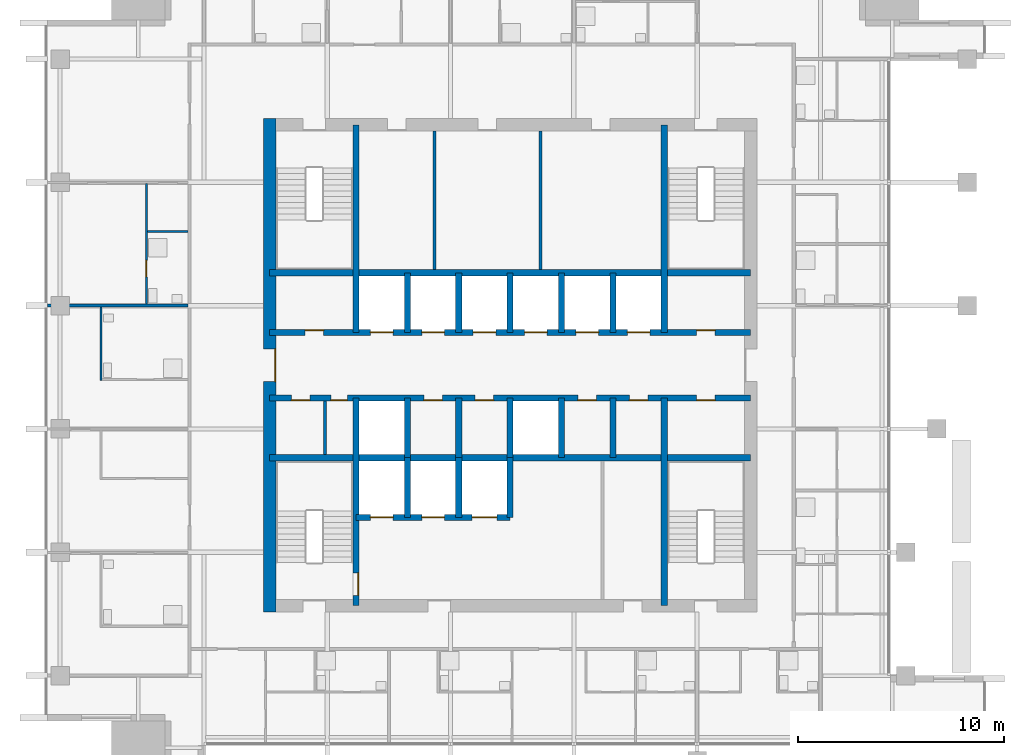
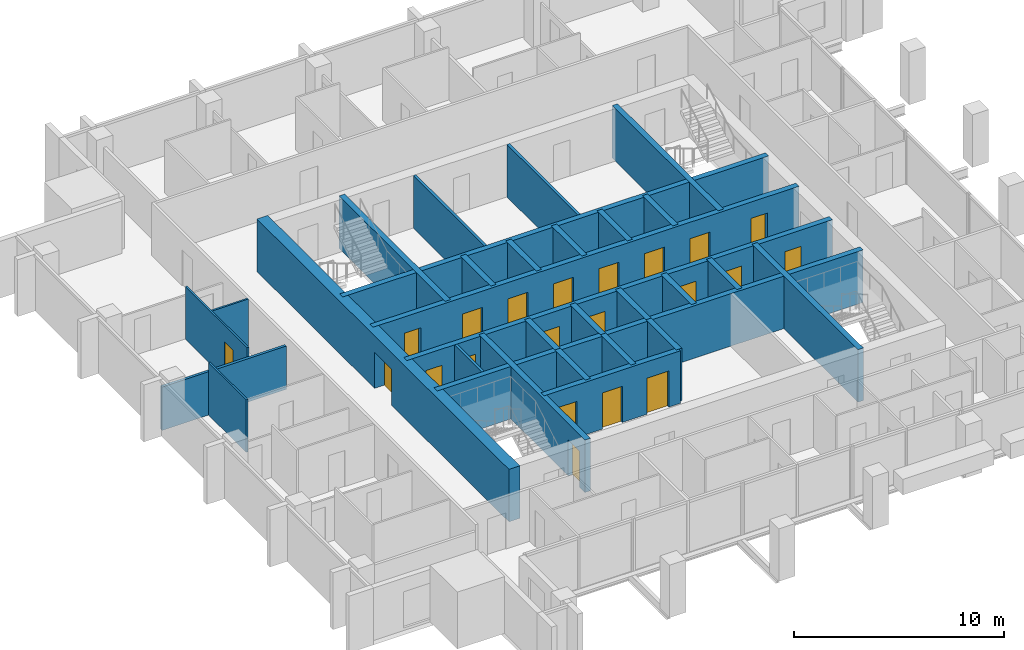
# One storey, part 9 of 14: 30 walls, 21 doors, 21 openings.
"""IFC4 building model written with IfcOpenShell, lengths in metres."""

from ifc_helpers import new_model, si_unit, direction, frame, frame_2d, origin, place, context, subcontext, project, spatial, rectangle, extrude, material, layer, layer_set, type_object, element, fill, save


model = new_model("IFC4")

# Units and contexts
model_context = context("Model", 3, precision=1e-05, world=origin(), true_north=direction((0.0, 1.0)))
body_context = subcontext(model_context, "Body", "Model", "MODEL_VIEW")
ifc_project = project(units=[si_unit("LENGTHUNIT", "METRE"), si_unit("AREAUNIT", "SQUARE_METRE"), si_unit("VOLUMEUNIT", "CUBIC_METRE"), si_unit("PLANEANGLEUNIT", "RADIAN"), si_unit("MASSUNIT", "GRAM", prefix="KILO")], contexts=[model_context])

# Site, building, storey
site_placement = place(None, origin())
site = spatial("IfcSite", under=ifc_project, at=site_placement, CompositionType="ELEMENT")
building_placement = place(site_placement, origin())
building = spatial("IfcBuilding", under=site, at=building_placement, Name="Amberfall Residences", CompositionType="ELEMENT")
storey_placement = place(building_placement, frame((0.0, 0.0, 220.0)))
storey = spatial("IfcBuildingStorey", under=building, at=storey_placement, Name="L59", CompositionType="ELEMENT", Elevation=220.0)

# Wall
ifc_material_1 = material(Name="Concrete C55", Category="concrete")
ifc_layer_1 = layer(ifc_material_1, 0.300048828125)
ifc_layer_set_1 = layer_set([ifc_layer_1], Name="Core wall 300 C55")
wall_type_1 = type_object("IfcWallType", Name="Core wall 300 C55", PredefinedType="SHEAR", material=ifc_layer_set_1)
wall_1_placement = place(storey_placement, frame((62.800048828125, 41.0, 0.0), z_axis=(0.0, 0.0, 1.0), x_axis=(1.0, 0.0, 0.0)))
element("IfcWall", 1, at=wall_1_placement, inside=storey, type_object=wall_type_1, Name="Core wall RW8 L59 H75", PredefinedType="SHEAR", context=body_context, shape_type="SweptSolid", body=[
    extrude(rectangle(XDim=23.39990234375, YDim=0.300048828125, at=frame_2d((11.699951171875, 0.0))), origin(), (0.0, 0.0, 1.0), 3.050048828125),
])

# Wall, openings, doors
wall_2_placement = place(storey_placement, frame((62.800048828125, 43.89990234375, 0.0), z_axis=(0.0, 0.0, 1.0), x_axis=(1.0, 0.0, 0.0)))
wall_2 = element("IfcWall", 2, at=wall_2_placement, inside=storey, type_object=wall_type_1, Name="Core wall RW8 L59 H104", PredefinedType="SHEAR", context=body_context, shape_type="SweptSolid", body=[
    extrude(rectangle(XDim=23.39990234375, YDim=0.300048828125, at=frame_2d((11.699951171875, 0.0))), origin(), (0.0, 0.0, 1.0), 3.050048828125),
])
opening_1_placement = place(wall_2_placement, frame((1.050048828125, 0.0, 0.0)))
opening_1 = element("IfcOpeningElement", 3, at=opening_1_placement, cuts=wall_2, Name="Opening RD1", PredefinedType="OPENING", context=body_context, shape_type="SweptSolid", body=[
    extrude(rectangle(XDim=0.89990234375, YDim=2.10009765625, at=frame_2d((0.449951171875, 1.050048828125))), frame((0.0, 0.159912109375, 0.0), z_axis=(0.0, -1.0, 0.0), x_axis=(1.0, 0.0, 0.0)), (0.0, 0.0, 1.0), 0.320068359375),
])
opening_2_placement = place(wall_2_placement, frame((2.97509765625, 0.0, 0.0)))
opening_2 = element("IfcOpeningElement", 4, at=opening_2_placement, cuts=wall_2, Name="Opening RD2", PredefinedType="OPENING", context=body_context, shape_type="SweptSolid", body=[
    extrude(rectangle(XDim=0.800048828125, YDim=2.10009765625, at=frame_2d((0.39990234375, 1.050048828125))), frame((0.0, 0.159912109375, 0.0), z_axis=(0.0, -1.0, 0.0), x_axis=(1.0, 0.0, 0.0)), (0.0, 0.0, 1.0), 0.320068359375),
])
opening_3_placement = place(wall_2_placement, frame((20.77490234375, 0.0, 0.0)))
opening_3 = element("IfcOpeningElement", 5, at=opening_3_placement, cuts=wall_2, Name="Opening RD1", PredefinedType="OPENING", context=body_context, shape_type="SweptSolid", body=[
    extrude(rectangle(XDim=0.89990234375, YDim=2.10009765625, at=frame_2d((0.449951171875, 1.050048828125))), frame((0.0, 0.159912109375, 0.0), z_axis=(0.0, -1.0, 0.0), x_axis=(1.0, 0.0, 0.0)), (0.0, 0.0, 1.0), 0.320068359375),
])
opening_4_placement = place(wall_2_placement, frame((7.5, 0.0, 0.0)))
opening_4 = element("IfcOpeningElement", 6, at=opening_4_placement, cuts=wall_2, Name="Opening RD1", PredefinedType="OPENING", context=body_context, shape_type="SweptSolid", body=[
    extrude(rectangle(XDim=0.89990234375, YDim=2.10009765625, at=frame_2d((0.449951171875, 1.050048828125))), frame((0.0, 0.159912109375, 0.0), z_axis=(0.0, -1.0, 0.0), x_axis=(1.0, 0.0, 0.0)), (0.0, 0.0, 1.0), 0.320068359375),
])
opening_5_placement = place(wall_2_placement, frame((10.0, 0.0, 0.0)))
opening_5 = element("IfcOpeningElement", 7, at=opening_5_placement, cuts=wall_2, Name="Opening RD1", PredefinedType="OPENING", context=body_context, shape_type="SweptSolid", body=[
    extrude(rectangle(XDim=0.89990234375, YDim=2.10009765625, at=frame_2d((0.449951171875, 1.050048828125))), frame((0.0, 0.159912109375, 0.0), z_axis=(0.0, -1.0, 0.0), x_axis=(1.0, 0.0, 0.0)), (0.0, 0.0, 1.0), 0.320068359375),
])
opening_6_placement = place(wall_2_placement, frame((15.0, 0.0, 0.0)))
opening_6 = element("IfcOpeningElement", 8, at=opening_6_placement, cuts=wall_2, Name="Opening RD1", PredefinedType="OPENING", context=body_context, shape_type="SweptSolid", body=[
    extrude(rectangle(XDim=0.89990234375, YDim=2.10009765625, at=frame_2d((0.449951171875, 1.050048828125))), frame((0.0, 0.159912109375, 0.0), z_axis=(0.0, -1.0, 0.0), x_axis=(1.0, 0.0, 0.0)), (0.0, 0.0, 1.0), 0.320068359375),
])
opening_7_placement = place(wall_2_placement, frame((17.5, 0.0, 0.0)))
opening_7 = element("IfcOpeningElement", 9, at=opening_7_placement, cuts=wall_2, Name="Opening RD1", PredefinedType="OPENING", context=body_context, shape_type="SweptSolid", body=[
    extrude(rectangle(XDim=0.89990234375, YDim=2.10009765625, at=frame_2d((0.449951171875, 1.050048828125))), frame((0.0, 0.159912109375, 0.0), z_axis=(0.0, -1.0, 0.0), x_axis=(1.0, 0.0, 0.0)), (0.0, 0.0, 1.0), 0.320068359375),
])
ifc_material_2 = material(Name="Steel fire door set", Category="steel")
door_type_1 = type_object("IfcDoorType", Name="Service room door 800 x 2100", OperationType="SINGLE_SWING_LEFT", PredefinedType="DOOR", material=ifc_material_2)
door_1_placement = place(opening_2_placement, origin())
door_1 = element("IfcDoor", 10, at=door_1_placement, inside=storey, type_object=door_type_1, Name="RD2 L59", OperationType="SINGLE_SWING_RIGHT", OverallHeight=2.10009765625, OverallWidth=0.800048828125, PredefinedType="DOOR", context=body_context, shape_type="SweptSolid", body=[
    extrude(rectangle(XDim=0.800048828125, YDim=2.10009765625, at=frame_2d((0.39990234375, 1.050048828125))), frame((0.0, -0.08740234375, 0.0), z_axis=(0.0, -1.0, 0.0), x_axis=(1.0, 0.0, 0.0)), (0.0, 0.0, 1.0), 0.050048828125),
])
fill(opening_2, door_1)
door_type_2 = type_object("IfcDoorType", Name="Service room door 900 x 2100", OperationType="SINGLE_SWING_LEFT", PredefinedType="DOOR", material=ifc_material_2)
door_2_placement = place(opening_1_placement, origin())
door_2 = element("IfcDoor", 11, at=door_2_placement, inside=storey, type_object=door_type_2, Name="RD1 L59", OperationType="SINGLE_SWING_LEFT", OverallHeight=2.10009765625, OverallWidth=0.89990234375, PredefinedType="DOOR", context=body_context, shape_type="SweptSolid", body=[
    extrude(rectangle(XDim=0.89990234375, YDim=2.10009765625, at=frame_2d((0.449951171875, 1.050048828125))), frame((0.0, -0.08740234375, 0.0), z_axis=(0.0, -1.0, 0.0), x_axis=(1.0, 0.0, 0.0)), (0.0, 0.0, 1.0), 0.050048828125),
])
fill(opening_1, door_2)
door_3_placement = place(opening_3_placement, origin())
door_3 = element("IfcDoor", 12, at=door_3_placement, inside=storey, type_object=door_type_2, Name="RD1 L59", OperationType="SINGLE_SWING_LEFT", OverallHeight=2.10009765625, OverallWidth=0.89990234375, PredefinedType="DOOR", context=body_context, shape_type="SweptSolid", body=[
    extrude(rectangle(XDim=0.89990234375, YDim=2.10009765625, at=frame_2d((0.449951171875, 1.050048828125))), frame((0.0, -0.08740234375, 0.0), z_axis=(0.0, -1.0, 0.0), x_axis=(1.0, 0.0, 0.0)), (0.0, 0.0, 1.0), 0.050048828125),
])
fill(opening_3, door_3)
door_4_placement = place(opening_4_placement, origin())
door_4 = element("IfcDoor", 13, at=door_4_placement, inside=storey, type_object=door_type_2, Name="RD1 L59", OperationType="SINGLE_SWING_LEFT", OverallHeight=2.10009765625, OverallWidth=0.89990234375, PredefinedType="DOOR", context=body_context, shape_type="SweptSolid", body=[
    extrude(rectangle(XDim=0.89990234375, YDim=2.10009765625, at=frame_2d((0.449951171875, 1.050048828125))), frame((0.0, -0.08740234375, 0.0), z_axis=(0.0, -1.0, 0.0), x_axis=(1.0, 0.0, 0.0)), (0.0, 0.0, 1.0), 0.050048828125),
])
fill(opening_4, door_4)
door_5_placement = place(opening_5_placement, origin())
door_5 = element("IfcDoor", 14, at=door_5_placement, inside=storey, type_object=door_type_2, Name="RD1 L59", OperationType="SINGLE_SWING_RIGHT", OverallHeight=2.10009765625, OverallWidth=0.89990234375, PredefinedType="DOOR", context=body_context, shape_type="SweptSolid", body=[
    extrude(rectangle(XDim=0.89990234375, YDim=2.10009765625, at=frame_2d((0.449951171875, 1.050048828125))), frame((0.0, -0.08740234375, 0.0), z_axis=(0.0, -1.0, 0.0), x_axis=(1.0, 0.0, 0.0)), (0.0, 0.0, 1.0), 0.050048828125),
])
fill(opening_5, door_5)
door_6_placement = place(opening_6_placement, origin())
door_6 = element("IfcDoor", 15, at=door_6_placement, inside=storey, type_object=door_type_2, Name="RD1 L59", OperationType="SINGLE_SWING_RIGHT", OverallHeight=2.10009765625, OverallWidth=0.89990234375, PredefinedType="DOOR", context=body_context, shape_type="SweptSolid", body=[
    extrude(rectangle(XDim=0.89990234375, YDim=2.10009765625, at=frame_2d((0.449951171875, 1.050048828125))), frame((0.0, -0.08740234375, 0.0), z_axis=(0.0, -1.0, 0.0), x_axis=(1.0, 0.0, 0.0)), (0.0, 0.0, 1.0), 0.050048828125),
])
fill(opening_6, door_6)
door_7_placement = place(opening_7_placement, origin())
door_7 = element("IfcDoor", 16, at=door_7_placement, inside=storey, type_object=door_type_2, Name="RD1 L59", OperationType="SINGLE_SWING_LEFT", OverallHeight=2.10009765625, OverallWidth=0.89990234375, PredefinedType="DOOR", context=body_context, shape_type="SweptSolid", body=[
    extrude(rectangle(XDim=0.89990234375, YDim=2.10009765625, at=frame_2d((0.449951171875, 1.050048828125))), frame((0.0, -0.08740234375, 0.0), z_axis=(0.0, -1.0, 0.0), x_axis=(1.0, 0.0, 0.0)), (0.0, 0.0, 1.0), 0.050048828125),
])
fill(opening_7, door_7)

wall_3_placement = place(storey_placement, frame((62.800048828125, 47.10009765625, 0.0), z_axis=(0.0, 0.0, 1.0), x_axis=(1.0, 0.0, 0.0)))
wall_3 = element("IfcWall", 17, at=wall_3_placement, inside=storey, type_object=wall_type_1, Name="Core wall RW8 L59 H136", PredefinedType="SHEAR", context=body_context, shape_type="SweptSolid", body=[
    extrude(rectangle(XDim=23.39990234375, YDim=0.300048828125, at=frame_2d((11.699951171875, 0.0))), origin(), (0.0, 0.0, 1.0), 3.050048828125),
])
opening_8_placement = place(wall_3_placement, frame((1.72509765625, 0.0, 0.0)))
opening_8 = element("IfcOpeningElement", 18, at=opening_8_placement, cuts=wall_3, Name="Opening RD1", PredefinedType="OPENING", context=body_context, shape_type="SweptSolid", body=[
    extrude(rectangle(XDim=0.89990234375, YDim=2.10009765625, at=frame_2d((0.449951171875, 1.050048828125))), frame((0.0, 0.159912109375, 0.0), z_axis=(0.0, -1.0, 0.0), x_axis=(1.0, 0.0, 0.0)), (0.0, 0.0, 1.0), 0.320068359375),
])
opening_9_placement = place(wall_3_placement, frame((20.77490234375, 0.0, 0.0)))
opening_9 = element("IfcOpeningElement", 19, at=opening_9_placement, cuts=wall_3, Name="Opening RD1", PredefinedType="OPENING", context=body_context, shape_type="SweptSolid", body=[
    extrude(rectangle(XDim=0.89990234375, YDim=2.10009765625, at=frame_2d((0.449951171875, 1.050048828125))), frame((0.0, 0.159912109375, 0.0), z_axis=(0.0, -1.0, 0.0), x_axis=(1.0, 0.0, 0.0)), (0.0, 0.0, 1.0), 0.320068359375),
])
opening_10_placement = place(wall_3_placement, frame((4.89990234375, 0.0, 0.0)))
opening_10 = element("IfcOpeningElement", 20, at=opening_10_placement, cuts=wall_3, Name="Opening LD1", PredefinedType="OPENING", context=body_context, shape_type="SweptSolid", body=[
    extrude(rectangle(XDim=1.10009765625, YDim=2.10009765625, at=frame_2d((0.550048828125, 1.050048828125))), frame((0.0, 0.159912109375, 0.0), z_axis=(0.0, -1.0, 0.0), x_axis=(1.0, 0.0, 0.0)), (0.0, 0.0, 1.0), 0.320068359375),
])
opening_11_placement = place(wall_3_placement, frame((7.39990234375, 0.0, 0.0)))
opening_11 = element("IfcOpeningElement", 21, at=opening_11_placement, cuts=wall_3, Name="Opening LD1", PredefinedType="OPENING", context=body_context, shape_type="SweptSolid", body=[
    extrude(rectangle(XDim=1.10009765625, YDim=2.10009765625, at=frame_2d((0.550048828125, 1.050048828125))), frame((0.0, 0.159912109375, 0.0), z_axis=(0.0, -1.0, 0.0), x_axis=(1.0, 0.0, 0.0)), (0.0, 0.0, 1.0), 0.320068359375),
])
opening_12_placement = place(wall_3_placement, frame((9.89990234375, 0.0, 0.0)))
opening_12 = element("IfcOpeningElement", 22, at=opening_12_placement, cuts=wall_3, Name="Opening LD1", PredefinedType="OPENING", context=body_context, shape_type="SweptSolid", body=[
    extrude(rectangle(XDim=1.10009765625, YDim=2.10009765625, at=frame_2d((0.550048828125, 1.050048828125))), frame((0.0, 0.159912109375, 0.0), z_axis=(0.0, -1.0, 0.0), x_axis=(1.0, 0.0, 0.0)), (0.0, 0.0, 1.0), 0.320068359375),
])
opening_13_placement = place(wall_3_placement, frame((12.39990234375, 0.0, 0.0)))
opening_13 = element("IfcOpeningElement", 23, at=opening_13_placement, cuts=wall_3, Name="Opening LD1", PredefinedType="OPENING", context=body_context, shape_type="SweptSolid", body=[
    extrude(rectangle(XDim=1.10009765625, YDim=2.10009765625, at=frame_2d((0.550048828125, 1.050048828125))), frame((0.0, 0.159912109375, 0.0), z_axis=(0.0, -1.0, 0.0), x_axis=(1.0, 0.0, 0.0)), (0.0, 0.0, 1.0), 0.320068359375),
])
opening_14_placement = place(wall_3_placement, frame((14.89990234375, 0.0, 0.0)))
opening_14 = element("IfcOpeningElement", 24, at=opening_14_placement, cuts=wall_3, Name="Opening LD1", PredefinedType="OPENING", context=body_context, shape_type="SweptSolid", body=[
    extrude(rectangle(XDim=1.10009765625, YDim=2.10009765625, at=frame_2d((0.550048828125, 1.050048828125))), frame((0.0, 0.159912109375, 0.0), z_axis=(0.0, -1.0, 0.0), x_axis=(1.0, 0.0, 0.0)), (0.0, 0.0, 1.0), 0.320068359375),
])
opening_15_placement = place(wall_3_placement, frame((17.39990234375, 0.0, 0.0)))
opening_15 = element("IfcOpeningElement", 25, at=opening_15_placement, cuts=wall_3, Name="Opening LD1", PredefinedType="OPENING", context=body_context, shape_type="SweptSolid", body=[
    extrude(rectangle(XDim=1.10009765625, YDim=2.10009765625, at=frame_2d((0.550048828125, 1.050048828125))), frame((0.0, 0.159912109375, 0.0), z_axis=(0.0, -1.0, 0.0), x_axis=(1.0, 0.0, 0.0)), (0.0, 0.0, 1.0), 0.320068359375),
])
door_type_3 = type_object("IfcDoorType", Name="Lift landing door 1100 x 2100", OperationType="DOUBLE_DOOR_SLIDING", PredefinedType="DOOR", material=ifc_material_2)
door_8_placement = place(opening_10_placement, origin())
door_8 = element("IfcDoor", 26, at=door_8_placement, inside=storey, type_object=door_type_3, Name="Landing door HP1 L59", OperationType="DOUBLE_DOOR_SLIDING", OverallHeight=2.10009765625, OverallWidth=1.10009765625, PredefinedType="DOOR", context=body_context, shape_type="SweptSolid", body=[
    extrude(rectangle(XDim=1.10009765625, YDim=2.10009765625, at=frame_2d((0.550048828125, 1.050048828125))), frame((0.0, 0.02490234375, 0.0), z_axis=(0.0, -1.0, 0.0), x_axis=(1.0, 0.0, 0.0)), (0.0, 0.0, 1.0), 0.050048828125),
])
fill(opening_10, door_8)
door_9_placement = place(opening_11_placement, origin())
door_9 = element("IfcDoor", 27, at=door_9_placement, inside=storey, type_object=door_type_3, Name="Landing door HP2 L59", OperationType="DOUBLE_DOOR_SLIDING", OverallHeight=2.10009765625, OverallWidth=1.10009765625, PredefinedType="DOOR", context=body_context, shape_type="SweptSolid", body=[
    extrude(rectangle(XDim=1.10009765625, YDim=2.10009765625, at=frame_2d((0.550048828125, 1.050048828125))), frame((0.0, 0.02490234375, 0.0), z_axis=(0.0, -1.0, 0.0), x_axis=(1.0, 0.0, 0.0)), (0.0, 0.0, 1.0), 0.050048828125),
])
fill(opening_11, door_9)
door_10_placement = place(opening_12_placement, origin())
door_10 = element("IfcDoor", 28, at=door_10_placement, inside=storey, type_object=door_type_3, Name="Landing door HP3 L59", OperationType="DOUBLE_DOOR_SLIDING", OverallHeight=2.10009765625, OverallWidth=1.10009765625, PredefinedType="DOOR", context=body_context, shape_type="SweptSolid", body=[
    extrude(rectangle(XDim=1.10009765625, YDim=2.10009765625, at=frame_2d((0.550048828125, 1.050048828125))), frame((0.0, 0.02490234375, 0.0), z_axis=(0.0, -1.0, 0.0), x_axis=(1.0, 0.0, 0.0)), (0.0, 0.0, 1.0), 0.050048828125),
])
fill(opening_12, door_10)
door_11_placement = place(opening_13_placement, origin())
door_11 = element("IfcDoor", 29, at=door_11_placement, inside=storey, type_object=door_type_3, Name="Landing door HP4 L59", OperationType="DOUBLE_DOOR_SLIDING", OverallHeight=2.10009765625, OverallWidth=1.10009765625, PredefinedType="DOOR", context=body_context, shape_type="SweptSolid", body=[
    extrude(rectangle(XDim=1.10009765625, YDim=2.10009765625, at=frame_2d((0.550048828125, 1.050048828125))), frame((0.0, 0.02490234375, 0.0), z_axis=(0.0, -1.0, 0.0), x_axis=(1.0, 0.0, 0.0)), (0.0, 0.0, 1.0), 0.050048828125),
])
fill(opening_13, door_11)
door_12_placement = place(opening_14_placement, origin())
door_12 = element("IfcDoor", 30, at=door_12_placement, inside=storey, type_object=door_type_3, Name="Landing door HP5 L59", OperationType="DOUBLE_DOOR_SLIDING", OverallHeight=2.10009765625, OverallWidth=1.10009765625, PredefinedType="DOOR", context=body_context, shape_type="SweptSolid", body=[
    extrude(rectangle(XDim=1.10009765625, YDim=2.10009765625, at=frame_2d((0.550048828125, 1.050048828125))), frame((0.0, 0.02490234375, 0.0), z_axis=(0.0, -1.0, 0.0), x_axis=(1.0, 0.0, 0.0)), (0.0, 0.0, 1.0), 0.050048828125),
])
fill(opening_14, door_12)
door_13_placement = place(opening_15_placement, origin())
door_13 = element("IfcDoor", 31, at=door_13_placement, inside=storey, type_object=door_type_3, Name="Landing door HP6 L59", OperationType="DOUBLE_DOOR_SLIDING", OverallHeight=2.10009765625, OverallWidth=1.10009765625, PredefinedType="DOOR", context=body_context, shape_type="SweptSolid", body=[
    extrude(rectangle(XDim=1.10009765625, YDim=2.10009765625, at=frame_2d((0.550048828125, 1.050048828125))), frame((0.0, 0.02490234375, 0.0), z_axis=(0.0, -1.0, 0.0), x_axis=(1.0, 0.0, 0.0)), (0.0, 0.0, 1.0), 0.050048828125),
])
fill(opening_15, door_13)
door_14_placement = place(opening_8_placement, origin())
door_14 = element("IfcDoor", 32, at=door_14_placement, inside=storey, type_object=door_type_2, Name="RD1 L59", OperationType="SINGLE_SWING_LEFT", OverallHeight=2.10009765625, OverallWidth=0.89990234375, PredefinedType="DOOR", context=body_context, shape_type="SweptSolid", body=[
    extrude(rectangle(XDim=0.89990234375, YDim=2.10009765625, at=frame_2d((0.449951171875, 1.050048828125))), frame((0.0, 0.1376953125, 0.0), z_axis=(0.0, -1.0, 0.0), x_axis=(1.0, 0.0, 0.0)), (0.0, 0.0, 1.0), 0.050048828125),
])
fill(opening_8, door_14)
door_15_placement = place(opening_9_placement, origin())
door_15 = element("IfcDoor", 33, at=door_15_placement, inside=storey, type_object=door_type_2, Name="RD1 L59", OperationType="SINGLE_SWING_LEFT", OverallHeight=2.10009765625, OverallWidth=0.89990234375, PredefinedType="DOOR", context=body_context, shape_type="SweptSolid", body=[
    extrude(rectangle(XDim=0.89990234375, YDim=2.10009765625, at=frame_2d((0.449951171875, 1.050048828125))), frame((0.0, 0.1376953125, 0.0), z_axis=(0.0, -1.0, 0.0), x_axis=(1.0, 0.0, 0.0)), (0.0, 0.0, 1.0), 0.050048828125),
])
fill(opening_9, door_15)

# Wall
wall_4_placement = place(storey_placement, frame((62.800048828125, 50.0, 0.0), z_axis=(0.0, 0.0, 1.0), x_axis=(1.0, 0.0, 0.0)))
element("IfcWall", 34, at=wall_4_placement, inside=storey, type_object=wall_type_1, Name="Core wall RW8 L59 H165", PredefinedType="SHEAR", context=body_context, shape_type="SweptSolid", body=[
    extrude(rectangle(XDim=23.39990234375, YDim=0.300048828125, at=frame_2d((11.699951171875, 0.0))), origin(), (0.0, 0.0, 1.0), 3.050048828125),
])

# Wall, opening, door
wall_5_placement = place(storey_placement, frame((67.0, 33.800048828125, 0.0), z_axis=(0.0, 0.0, 1.0), x_axis=(0.0, 1.0, 0.0)))
wall_5 = element("IfcWall", 35, at=wall_5_placement, inside=storey, type_object=wall_type_1, Name="Core wall RW8 L59 V45S", PredefinedType="SHEAR", context=body_context, shape_type="SweptSolid", body=[
    extrude(rectangle(XDim=10.099853515625, YDim=0.300048828125, at=frame_2d((5.0498046875, 0.0))), origin(), (0.0, 0.0, 1.0), 3.050048828125),
])
opening_16_placement = place(wall_5_placement, frame((0.5, 0.0, 0.0)))
opening_16 = element("IfcOpeningElement", 36, at=opening_16_placement, cuts=wall_5, Name="Opening FL1", PredefinedType="OPENING", context=body_context, shape_type="SweptSolid", body=[
    extrude(rectangle(XDim=1.10009765625, YDim=2.10009765625, at=frame_2d((0.550048828125, 1.050048828125))), frame((0.0, 0.159912109375, 0.0), z_axis=(0.0, -1.0, 0.0), x_axis=(1.0, 0.0, 0.0)), (0.0, 0.0, 1.0), 0.320068359375),
])
door_type_4 = type_object("IfcDoorType", Name="Firefighting lobby door 1100 x 2100", OperationType="SINGLE_SWING_LEFT", PredefinedType="DOOR", material=ifc_material_2)
door_16_placement = place(opening_16_placement, origin())
door_16 = element("IfcDoor", 37, at=door_16_placement, inside=storey, type_object=door_type_4, Name="FL1 L59", OperationType="SINGLE_SWING_RIGHT", OverallHeight=2.10009765625, OverallWidth=1.10009765625, PredefinedType="DOOR", context=body_context, shape_type="SweptSolid", body=[
    extrude(rectangle(XDim=1.10009765625, YDim=2.10009765625, at=frame_2d((0.550048828125, 1.050048828125))), frame((0.0, -0.08740234375, 0.0), z_axis=(0.0, -1.0, 0.0), x_axis=(1.0, 0.0, 0.0)), (0.0, 0.0, 1.0), 0.050048828125),
])
fill(opening_16, door_16)

# Walls
for number, where, z_axis, x_axis, name in (
    (38, (67.0, 47.10009765625, 0.0), (0.0, 0.0, 1.0), (0.0, 1.0, 0.0), "Core wall RW8 L59 V45N"),
    (39, (82.0, 33.800048828125, 0.0), (0.0, 0.0, 1.0), (0.0, 1.0, 0.0), "Core wall RW8 L59 V195S"),
    (40, (82.0, 47.10009765625, 0.0), (0.0, 0.0, 1.0), (0.0, 1.0, 0.0), "Core wall RW8 L59 V195N"),
):
    element("IfcWall", number, at=place(storey_placement, frame(where, z_axis=z_axis, x_axis=x_axis)), inside=storey, type_object=wall_type_1, Name=name, PredefinedType="SHEAR", context=body_context, shape_type="SweptSolid", body=[
        extrude(rectangle(XDim=10.099853515625, YDim=0.300048828125, at=frame_2d((5.0498046875, 0.0))), origin(), (0.0, 0.0, 1.0), 3.050048828125),
    ])
for number, where, z_axis, x_axis, name in (
    (41, (69.5, 41.0, 0.0), (0.0, 0.0, 1.0), (0.0, 1.0, 0.0), "Core wall RW8 L59 LPD1"),
    (42, (69.5, 47.10009765625, 0.0), (0.0, 0.0, 1.0), (0.0, 1.0, 0.0), "Core wall RW8 L59 HPD1"),
    (43, (72.0, 41.0, 0.0), (0.0, 0.0, 1.0), (0.0, 1.0, 0.0), "Core wall RW8 L59 LPD2"),
    (44, (72.0, 47.10009765625, 0.0), (0.0, 0.0, 1.0), (0.0, 1.0, 0.0), "Core wall RW8 L59 HPD2"),
    (45, (74.5, 41.0, 0.0), (0.0, 0.0, 1.0), (0.0, 1.0, 0.0), "Core wall RW8 L59 LPD3"),
    (46, (74.5, 47.10009765625, 0.0), (0.0, 0.0, 1.0), (0.0, 1.0, 0.0), "Core wall RW8 L59 HPD3"),
    (47, (77.0, 41.0, 0.0), (0.0, 0.0, 1.0), (0.0, 1.0, 0.0), "Core wall RW8 L59 LPD4"),
    (48, (77.0, 47.10009765625, 0.0), (0.0, 0.0, 1.0), (0.0, 1.0, 0.0), "Core wall RW8 L59 HPD4"),
    (49, (79.5, 41.0, 0.0), (0.0, 0.0, 1.0), (0.0, 1.0, 0.0), "Core wall RW8 L59 LPD5"),
    (50, (79.5, 47.10009765625, 0.0), (0.0, 0.0, 1.0), (0.0, 1.0, 0.0), "Core wall RW8 L59 HPD5"),
):
    element("IfcWall", number, at=place(storey_placement, frame(where, z_axis=z_axis, x_axis=x_axis)), inside=storey, type_object=wall_type_1, Name=name, PredefinedType="SHEAR", context=body_context, shape_type="SweptSolid", body=[
        extrude(rectangle(XDim=2.89990234375, YDim=0.300048828125, at=frame_2d((1.449951171875, 0.0))), origin(), (0.0, 0.0, 1.0), 3.050048828125),
    ])

# Wall, openings, doors
wall_6_placement = place(storey_placement, frame((67.0, 38.10009765625, 0.0), z_axis=(0.0, 0.0, 1.0), x_axis=(1.0, 0.0, 0.0)))
wall_6 = element("IfcWall", 51, at=wall_6_placement, inside=storey, type_object=wall_type_1, Name="Core wall RW8 L59 FFF", PredefinedType="SHEAR", context=body_context, shape_type="SweptSolid", body=[
    extrude(rectangle(XDim=7.5, YDim=0.300048828125, at=frame_2d((3.75, 0.0))), origin(), (0.0, 0.0, 1.0), 3.050048828125),
])
opening_17_placement = place(wall_6_placement, frame((0.699951171875, 0.0, 0.0)))
opening_17 = element("IfcOpeningElement", 52, at=opening_17_placement, cuts=wall_6, Name="Opening LD2", PredefinedType="OPENING", context=body_context, shape_type="SweptSolid", body=[
    extrude(rectangle(XDim=1.10009765625, YDim=2.10009765625, at=frame_2d((0.550048828125, 1.050048828125))), frame((0.0, 0.159912109375, 0.0), z_axis=(0.0, -1.0, 0.0), x_axis=(1.0, 0.0, 0.0)), (0.0, 0.0, 1.0), 0.320068359375),
])
opening_18_placement = place(wall_6_placement, frame((3.199951171875, 0.0, 0.0)))
opening_18 = element("IfcOpeningElement", 53, at=opening_18_placement, cuts=wall_6, Name="Opening LD2", PredefinedType="OPENING", context=body_context, shape_type="SweptSolid", body=[
    extrude(rectangle(XDim=1.10009765625, YDim=2.10009765625, at=frame_2d((0.550048828125, 1.050048828125))), frame((0.0, 0.159912109375, 0.0), z_axis=(0.0, -1.0, 0.0), x_axis=(1.0, 0.0, 0.0)), (0.0, 0.0, 1.0), 0.320068359375),
])
opening_19_placement = place(wall_6_placement, frame((5.64990234375, 0.0, 0.0)))
opening_19 = element("IfcOpeningElement", 54, at=opening_19_placement, cuts=wall_6, Name="Opening LD3", PredefinedType="OPENING", context=body_context, shape_type="SweptSolid", body=[
    extrude(rectangle(XDim=1.199951171875, YDim=2.10009765625, at=frame_2d((0.60009765625, 1.050048828125))), frame((0.0, 0.159912109375, 0.0), z_axis=(0.0, -1.0, 0.0), x_axis=(1.0, 0.0, 0.0)), (0.0, 0.0, 1.0), 0.320068359375),
])
door_type_5 = type_object("IfcDoorType", Name="Firefighting lift landing door 1100 x 2100", OperationType="DOUBLE_DOOR_SLIDING", PredefinedType="DOOR", material=ifc_material_2)
door_17_placement = place(opening_17_placement, origin())
door_17 = element("IfcDoor", 55, at=door_17_placement, inside=storey, type_object=door_type_5, Name="Landing door FF1 L59", OperationType="DOUBLE_DOOR_SLIDING", OverallHeight=2.10009765625, OverallWidth=1.10009765625, PredefinedType="DOOR", context=body_context, shape_type="SweptSolid", body=[
    extrude(rectangle(XDim=1.10009765625, YDim=2.10009765625, at=frame_2d((0.550048828125, 1.050048828125))), frame((0.0, 0.02490234375, 0.0), z_axis=(0.0, -1.0, 0.0), x_axis=(1.0, 0.0, 0.0)), (0.0, 0.0, 1.0), 0.050048828125),
])
fill(opening_17, door_17)
door_18_placement = place(opening_18_placement, origin())
door_18 = element("IfcDoor", 56, at=door_18_placement, inside=storey, type_object=door_type_5, Name="Landing door FF2 L59", OperationType="DOUBLE_DOOR_SLIDING", OverallHeight=2.10009765625, OverallWidth=1.10009765625, PredefinedType="DOOR", context=body_context, shape_type="SweptSolid", body=[
    extrude(rectangle(XDim=1.10009765625, YDim=2.10009765625, at=frame_2d((0.550048828125, 1.050048828125))), frame((0.0, 0.02490234375, 0.0), z_axis=(0.0, -1.0, 0.0), x_axis=(1.0, 0.0, 0.0)), (0.0, 0.0, 1.0), 0.050048828125),
])
fill(opening_18, door_18)
door_type_6 = type_object("IfcDoorType", Name="Service lift landing door 1200 x 2100", OperationType="DOUBLE_DOOR_SLIDING", PredefinedType="DOOR", material=ifc_material_2)
door_19_placement = place(opening_19_placement, origin())
door_19 = element("IfcDoor", 57, at=door_19_placement, inside=storey, type_object=door_type_6, Name="Landing door SL1 L59", OperationType="DOUBLE_DOOR_SLIDING", OverallHeight=2.10009765625, OverallWidth=1.199951171875, PredefinedType="DOOR", context=body_context, shape_type="SweptSolid", body=[
    extrude(rectangle(XDim=1.199951171875, YDim=2.10009765625, at=frame_2d((0.60009765625, 1.050048828125))), frame((0.0, 0.02490234375, 0.0), z_axis=(0.0, -1.0, 0.0), x_axis=(1.0, 0.0, 0.0)), (0.0, 0.0, 1.0), 0.050048828125),
])
fill(opening_19, door_19)

# Walls
for number, where, z_axis, x_axis, name in (
    (58, (69.5, 38.10009765625, 0.0), (0.0, 0.0, 1.0), (0.0, 1.0, 0.0), "Core wall RW8 L59 FFD1"),
    (59, (72.0, 38.10009765625, 0.0), (0.0, 0.0, 1.0), (0.0, 1.0, 0.0), "Core wall RW8 L59 FFD2"),
    (60, (74.5, 38.10009765625, 0.0), (0.0, 0.0, 1.0), (0.0, 1.0, 0.0), "Core wall RW8 L59 FFD3"),
):
    element("IfcWall", number, at=place(storey_placement, frame(where, z_axis=z_axis, x_axis=x_axis)), inside=storey, type_object=wall_type_1, Name=name, PredefinedType="SHEAR", context=body_context, shape_type="SweptSolid", body=[
        extrude(rectangle(XDim=2.89990234375, YDim=0.300048828125, at=frame_2d((1.449951171875, 0.0))), origin(), (0.0, 0.0, 1.0), 3.050048828125),
    ])

# Wall, opening, door
ifc_layer_2 = layer(ifc_material_1, 0.60009765625)
ifc_layer_set_2 = layer_set([ifc_layer_2], Name="Core wall 600 C55")
wall_type_2 = type_object("IfcWallType", Name="Core wall 600 C55", PredefinedType="SHEAR", material=ifc_layer_set_2)
wall_7_placement = place(storey_placement, frame((62.800048828125, 33.5, 0.0), z_axis=(0.0, 0.0, 1.0), x_axis=(0.0, 1.0, 0.0)))
wall_7 = element("IfcWall", 61, at=wall_7_placement, inside=storey, type_object=wall_type_2, Name="Core wall RW7 L59 OW", PredefinedType="SHEAR", context=body_context, shape_type="SweptSolid", body=[
    extrude(rectangle(XDim=24.0, YDim=0.60009765625, at=frame_2d((12.0, 0.0))), origin(), (0.0, 0.0, 1.0), 3.050048828125),
])
opening_20_placement = place(wall_7_placement, frame((11.199951171875, 0.0, 0.0)))
opening_20 = element("IfcOpeningElement", 62, at=opening_20_placement, cuts=wall_7, Name="Opening LB1", PredefinedType="OPENING", context=body_context, shape_type="SweptSolid", body=[
    extrude(rectangle(XDim=1.60009765625, YDim=2.10009765625, at=frame_2d((0.800048828125, 1.050048828125))), frame((0.0, 0.31005859375, 0.0), z_axis=(0.0, -1.0, 0.0), x_axis=(1.0, 0.0, 0.0)), (0.0, 0.0, 1.0), 0.6201171875),
])
door_type_7 = type_object("IfcDoorType", Name="Lift lobby double door 1600 x 2100", OperationType="DOUBLE_DOOR_SINGLE_SWING", PredefinedType="DOOR", material=ifc_material_2)
door_20_placement = place(opening_20_placement, origin())
door_20 = element("IfcDoor", 63, at=door_20_placement, inside=storey, type_object=door_type_7, Name="LB1 L59", OperationType="DOUBLE_DOOR_SINGLE_SWING", OverallHeight=2.10009765625, OverallWidth=1.60009765625, PredefinedType="DOOR", context=body_context, shape_type="SweptSolid", body=[
    extrude(rectangle(XDim=1.60009765625, YDim=2.10009765625, at=frame_2d((0.800048828125, 1.050048828125))), frame((0.0, -0.2373046875, 0.0), z_axis=(0.0, -1.0, 0.0), x_axis=(1.0, 0.0, 0.0)), (0.0, 0.0, 1.0), 0.050048828125),
])
fill(opening_20, door_20)

# Wall
ifc_material_3 = material(Name="Gypsum board on metal stud")
ifc_layer_3 = layer(ifc_material_3, 0.10009765625)
ifc_layer_set_3 = layer_set([ifc_layer_3], Name="Flat partition 100")
wall_type_3 = type_object("IfcWallType", Name="Flat partition 100", PredefinedType="PARTITIONING", material=ifc_layer_set_3)
wall_8_placement = place(storey_placement, frame((54.60009765625, 44.75, 0.0), z_axis=(0.0, 0.0, 1.0), x_axis=(0.0, 1.0, 0.0)))
element("IfcWall", 64, at=wall_8_placement, inside=storey, type_object=wall_type_3, Name="Partition 003", PredefinedType="PARTITIONING", context=body_context, shape_type="SweptSolid", body=[
    extrude(rectangle(XDim=3.574951171875, YDim=0.10009765625, at=frame_2d((1.78759765625, 0.0))), origin(), (0.0, 0.0, 1.0), 3.050048828125),
])

# Wall, opening, door
wall_9_placement = place(storey_placement, frame((56.800048828125, 54.35009765625, 0.0), z_axis=(0.0, 0.0, 1.0), x_axis=(0.0, -1.0, 0.0)))
wall_9 = element("IfcWall", 65, at=wall_9_placement, inside=storey, type_object=wall_type_3, Name="Partition 004", PredefinedType="PARTITIONING", context=body_context, shape_type="SweptSolid", body=[
    extrude(rectangle(XDim=5.875, YDim=0.10009765625, at=frame_2d((2.9375, 0.0))), origin(), (0.0, 0.0, 1.0), 3.050048828125),
])
opening_21_placement = place(wall_9_placement, frame((3.75, 0.0, 0.0)))
opening_21 = element("IfcOpeningElement", 66, at=opening_21_placement, cuts=wall_9, Name="Opening D42", PredefinedType="OPENING", context=body_context, shape_type="SweptSolid", body=[
    extrude(rectangle(XDim=0.800048828125, YDim=2.10009765625, at=frame_2d((0.39990234375, 1.050048828125))), frame((0.0, 0.06005859375, 0.0), z_axis=(0.0, -1.0, 0.0), x_axis=(1.0, 0.0, 0.0)), (0.0, 0.0, 1.0), 0.1201171875),
])
ifc_material_4 = material(Name="Timber", Category="wood")
door_type_8 = type_object("IfcDoorType", Name="Bathroom door 800 x 2100", OperationType="SINGLE_SWING_LEFT", PredefinedType="DOOR", material=ifc_material_4)
door_21_placement = place(opening_21_placement, origin())
door_21 = element("IfcDoor", 67, at=door_21_placement, inside=storey, type_object=door_type_8, Name="Door 5910 bath1", OperationType="SINGLE_SWING_LEFT", OverallHeight=2.10009765625, OverallWidth=0.800048828125, PredefinedType="DOOR", context=body_context, shape_type="SweptSolid", body=[
    extrude(rectangle(XDim=0.800048828125, YDim=2.10009765625, at=frame_2d((0.39990234375, 1.050048828125))), frame((0.0, 0.02490234375, 0.0), z_axis=(0.0, -1.0, 0.0), x_axis=(1.0, 0.0, 0.0)), (0.0, 0.0, 1.0), 0.050048828125),
])
fill(opening_21, door_21)

# Walls
wall_10_placement = place(storey_placement, frame((56.85009765625, 52.0, 0.0), z_axis=(0.0, 0.0, 1.0), x_axis=(1.0, 0.0, 0.0)))
element("IfcWall", 68, at=wall_10_placement, inside=storey, type_object=wall_type_3, Name="Partition 030", PredefinedType="PARTITIONING", context=body_context, shape_type="SweptSolid", body=[
    extrude(rectangle(XDim=1.974853515625, YDim=0.10009765625, at=frame_2d((0.9873046875, 0.0))), origin(), (0.0, 0.0, 1.0), 3.050048828125),
])
ifc_material_5 = material(Name="Blockwork, plastered", Category="masonry")
ifc_layer_4 = layer(ifc_material_5, 0.14990234375)
ifc_layer_set_4 = layer_set([ifc_layer_4], Name="Flat separating wall 150")
wall_type_4 = type_object("IfcWallType", Name="Flat separating wall 150", PredefinedType="PARTITIONING", material=ifc_layer_set_4)
wall_11_placement = place(storey_placement, frame((52.0, 48.39990234375, 0.0), z_axis=(0.0, 0.0, 1.0), x_axis=(1.0, 0.0, 0.0)))
element("IfcWall", 69, at=wall_11_placement, inside=storey, type_object=wall_type_4, Name="Separating wall 054", PredefinedType="PARTITIONING", context=body_context, shape_type="SweptSolid", body=[
    extrude(rectangle(XDim=6.824951171875, YDim=0.14990234375, at=frame_2d((3.41259765625, 0.0))), origin(), (0.0, 0.0, 1.0), 2.51611328125),
])
ifc_material_6 = material(Name="Concrete blockwork", Category="masonry")
ifc_layer_5 = layer(ifc_material_6, 0.14990234375)
ifc_layer_set_5 = layer_set([ifc_layer_5], Name="Riser wall 150")
wall_type_5 = type_object("IfcWallType", Name="Riser wall 150", PredefinedType="PLUMBINGWALL", material=ifc_layer_set_5)
wall_12_placement = place(storey_placement, frame((65.5, 41.14990234375, 0.0), z_axis=(0.0, 0.0, 1.0), x_axis=(0.0, 1.0, 0.0)))
element("IfcWall", 70, at=wall_12_placement, inside=storey, type_object=wall_type_5, Name="L59 core wall ASW0", PredefinedType="PLUMBINGWALL", context=body_context, shape_type="SweptSolid", body=[
    extrude(rectangle(XDim=2.60009765625, YDim=0.14990234375, at=frame_2d((1.300048828125, 0.0))), origin(), (0.0, 0.0, 1.0), 3.050048828125),
])
for number, where, z_axis, x_axis, name in (
    (71, (70.824951171875, 50.14990234375, 0.0), (0.0, 0.0, 1.0), (0.0, 1.0, 0.0), "L59 core wall N0"),
    (72, (75.969970703125, 50.14990234375, 0.0), (0.0, 0.0, 1.0), (0.0, 1.0, 0.0), "L59 core wall N1"),
):
    element("IfcWall", number, at=place(storey_placement, frame(where, z_axis=z_axis, x_axis=x_axis)), inside=storey, type_object=wall_type_5, Name=name, PredefinedType="PLUMBINGWALL", context=body_context, shape_type="SweptSolid", body=[
        extrude(rectangle(XDim=6.75, YDim=0.14990234375, at=frame_2d((3.375, 0.0))), origin(), (0.0, 0.0, 1.0), 3.050048828125),
    ])

save(model, "model.ifc")
